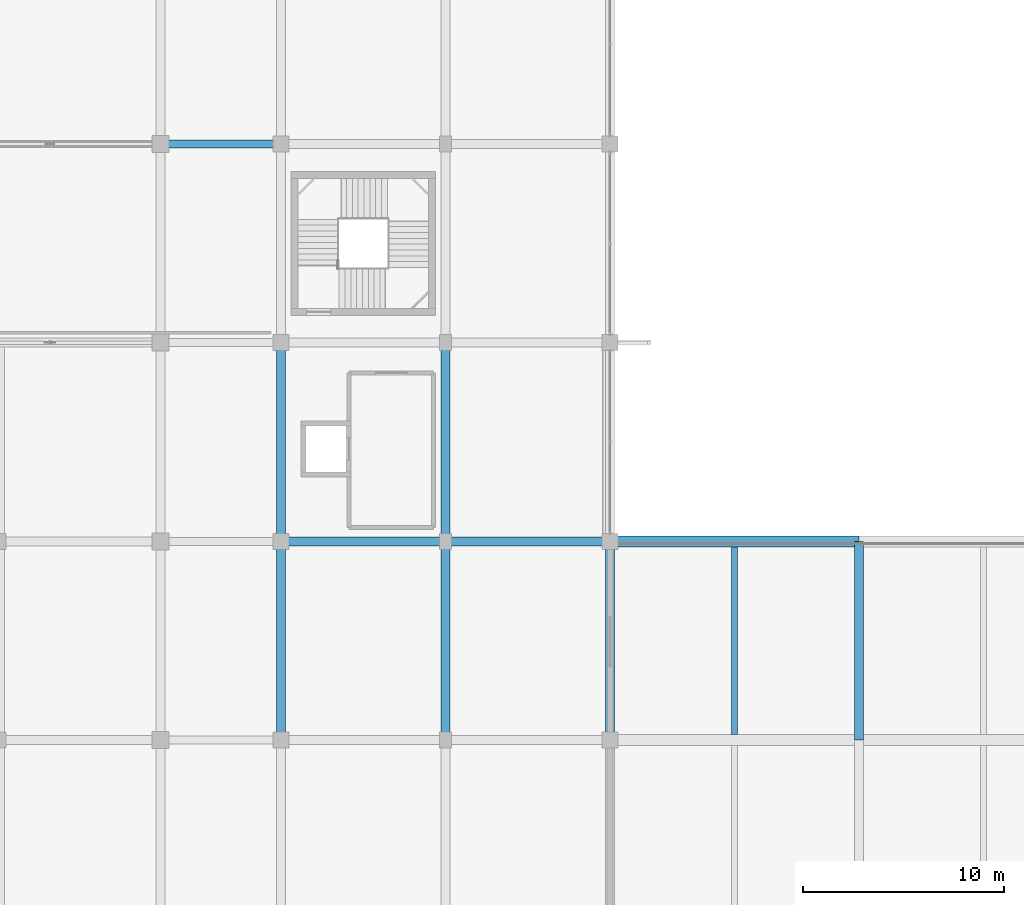
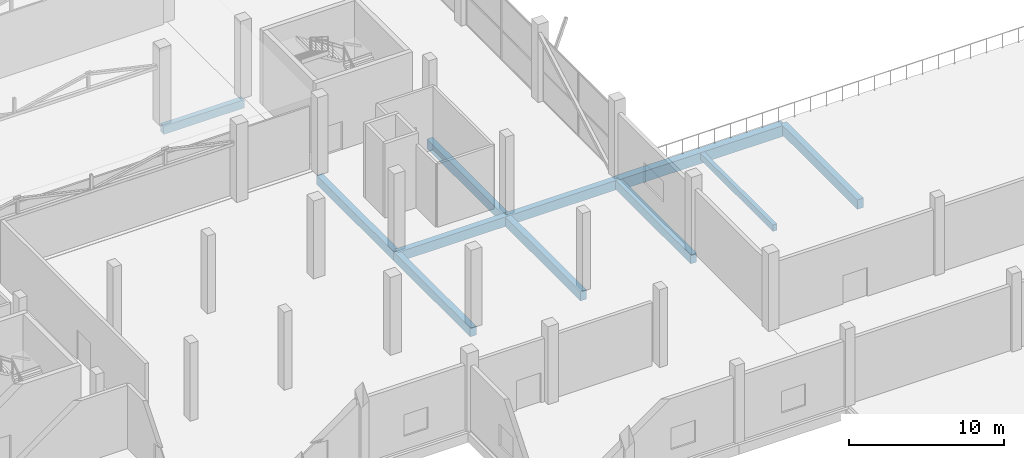
# One storey, part 9 of 46: 11 beams.
"""IFC4 building model written with IfcOpenShell, lengths in metres."""

from ifc_helpers import new_model, si_unit, direction, frame, origin, origin_2d, place, context, subcontext, project, spatial, rectangle, extrude, material, material_profile, profile_set, type_object, element, save


model = new_model("IFC4")

# Units and contexts
model_context = context("Model", 3, precision=1e-05, world=origin(), true_north=direction((0.0, 1.0)))
body_context = subcontext(model_context, "Body", "Model", "MODEL_VIEW")
ifc_project = project(units=[si_unit("LENGTHUNIT", "METRE"), si_unit("AREAUNIT", "SQUARE_METRE"), si_unit("VOLUMEUNIT", "CUBIC_METRE"), si_unit("PLANEANGLEUNIT", "RADIAN"), si_unit("MASSUNIT", "GRAM", prefix="KILO")], contexts=[model_context])

# Site, building, storey
site_placement = place(None, origin())
site = spatial("IfcSite", under=ifc_project, at=site_placement, CompositionType="ELEMENT")
building_placement = place(site_placement, origin())
building = spatial("IfcBuilding", under=site, at=building_placement, Name="Sillaruma Civic Art Gallery", CompositionType="ELEMENT")
storey_placement = place(building_placement, frame((0.0, 0.0, 16.320068359375)))
storey = spatial("IfcBuildingStorey", under=building, at=storey_placement, Name="L03", CompositionType="ELEMENT", Elevation=16.320068359375)

# Beams
ifc_material_1 = material(Name="Concrete H35 (35 MPa)", Category="concrete")
ifc_material_profile_1 = material_profile(ifc_material_1, rectangle(XDim=0.39990234375, YDim=0.64990234375, at=origin_2d()), Name="RCB400x650")
ifc_profile_set_1 = profile_set([ifc_material_profile_1], Name="Concrete H35 (35 MPa)")
beam_type_1 = type_object("IfcBeamType", Name="BM-BEAM-RCB400x650", PredefinedType="BEAM", material=ifc_profile_set_1)
beam_1_placement = place(storey_placement, frame((92.0, 59.39990234375, -0.60498046875), z_axis=(1.0, 0.0, 0.0), x_axis=(0.0, 1.0, 0.0)))
element("IfcBeam", 1, at=beam_1_placement, inside=storey, type_object=beam_type_1, Name="Beam BM-05 (L02:7:K-L)", PredefinedType="BEAM", context=body_context, shape_type="SweptSolid", body=[
    extrude(rectangle(XDim=0.39990234375, YDim=0.64990234375, at=origin_2d()), origin(), (0.0, 0.0, 1.0), 6.0),
])
ifc_material_2 = material(Name="Concrete H40 (40 MPa)", Category="concrete")
ifc_material_profile_2 = material_profile(ifc_material_2, rectangle(XDim=0.449951171875, YDim=0.75, at=origin_2d()), Name="RCB450x750")
ifc_profile_set_2 = profile_set([ifc_material_profile_2], Name="Concrete H40 (40 MPa)")
beam_type_2 = type_object("IfcBeamType", Name="BM-BEAM-RCB450x750", PredefinedType="BEAM", material=ifc_profile_set_2)
for number, where, z_axis, x_axis, name in (
    (2, (98.0, 39.60009765625, -0.655029296875), (1.0, 0.0, 0.0), (0.0, 1.0, 0.0), "Beam BM-03 (L02:5:L-M)"),
    (3, (106.199951171875, 39.60009765625, -0.655029296875), (1.0, 0.0, 0.0), (0.0, 1.0, 0.0), "Beam BM-03 (L02:5:M-N)"),
):
    element("IfcBeam", number, at=place(storey_placement, frame(where, z_axis=z_axis, x_axis=x_axis)), inside=storey, type_object=beam_type_2, Name=name, PredefinedType="BEAM", context=body_context, shape_type="SweptSolid", body=[
        extrude(rectangle(XDim=0.449951171875, YDim=0.75, at=origin_2d()), origin(), (0.0, 0.0, 1.0), 8.199951171875),
    ])
beam_2_placement = place(storey_placement, frame((106.199951171875, 29.699951171875, -0.655029296875), z_axis=(0.0, 1.0, 0.0), x_axis=(-1.0, 0.0, 0.0)))
element("IfcBeam", 4, at=beam_2_placement, inside=storey, type_object=beam_type_2, Name="Beam BM-03 (L02:M:4-5)", PredefinedType="BEAM", context=body_context, shape_type="SweptSolid", body=[
    extrude(rectangle(XDim=0.449951171875, YDim=0.75, at=origin_2d()), origin(), (0.0, 0.0, 1.0), 9.900146484375),
])
beam_3_placement = place(storey_placement, frame((106.199951171875, 39.60009765625, -0.655029296875), z_axis=(0.0, 1.0, 0.0), x_axis=(-1.0, 0.0, 0.0)))
element("IfcBeam", 5, at=beam_3_placement, inside=storey, type_object=beam_type_2, Name="Beam BM-03 (L02:M:5-6)", PredefinedType="BEAM", context=body_context, shape_type="SweptSolid", body=[
    extrude(rectangle(XDim=0.449951171875, YDim=0.75, at=origin_2d()), origin(), (0.0, 0.0, 1.0), 9.89990234375),
])
beam_4_placement = place(storey_placement, frame((126.800048828125, 29.699951171875, -0.655029296875), z_axis=(0.0, 1.0, 0.0), x_axis=(-1.0, 0.0, 0.0)))
element("IfcBeam", 6, at=beam_4_placement, inside=storey, type_object=beam_type_2, Name="Beam BM-03 (L02:P:4-5)", PredefinedType="BEAM", context=body_context, shape_type="SweptSolid", body=[
    extrude(rectangle(XDim=0.449951171875, YDim=0.75, at=origin_2d()), origin(), (0.0, 0.0, 1.0), 9.900146484375),
])
ifc_material_profile_3 = material_profile(ifc_material_2, rectangle(XDim=0.550048828125, YDim=0.85009765625, at=origin_2d()), Name="RCB550x850")
ifc_profile_set_3 = profile_set([ifc_material_profile_3], Name="Concrete H40 (40 MPa)")
beam_type_3 = type_object("IfcBeamType", Name="BM-BEAM-RCB550x850", PredefinedType="BEAM", material=ifc_profile_set_3)
beam_5_placement = place(storey_placement, frame((114.39990234375, 39.60009765625, -0.705078125), z_axis=(1.0, 0.0, 0.0), x_axis=(0.0, 1.0, 0.0)))
element("IfcBeam", 7, at=beam_5_placement, inside=storey, type_object=beam_type_3, Name="Beam BM-01 (L02:5:N-P)", PredefinedType="BEAM", context=body_context, shape_type="SweptSolid", body=[
    extrude(rectangle(XDim=0.550048828125, YDim=0.85009765625, at=origin_2d()), origin(), (0.0, 0.0, 1.0), 12.400146484375),
])
ifc_material_profile_4 = material_profile(ifc_material_1, rectangle(XDim=0.300048828125, YDim=0.52001953125, at=origin_2d()), Name="RCB300x520")
ifc_profile_set_4 = profile_set([ifc_material_profile_4], Name="Concrete H35 (35 MPa)")
beam_type_4 = type_object("IfcBeamType", Name="BM-JOIST-RCB300x520", PredefinedType="JOIST", material=ifc_profile_set_4)
beam_6_placement = place(storey_placement, frame((120.60009765625, 29.97509765625, -0.5400390625), z_axis=(0.0, 1.0, 0.0), x_axis=(-1.0, 0.0, 0.0)))
element("IfcBeam", 8, at=beam_6_placement, inside=storey, type_object=beam_type_4, Name="Floor Joist JR-01 (L02:NP:4-5)", PredefinedType="JOIST", context=body_context, shape_type="SweptSolid", body=[
    extrude(rectangle(XDim=0.300048828125, YDim=0.52001953125, at=origin_2d()), origin(), (0.0, 0.0, 1.0), 9.349853515625),
])
ifc_material_profile_5 = material_profile(ifc_material_1, rectangle(XDim=0.449951171875, YDim=0.699951171875, at=origin_2d()), Name="RCB450x700")
ifc_profile_set_5 = profile_set([ifc_material_profile_5], Name="Concrete H35 (35 MPa)")
beam_type_5 = type_object("IfcBeamType", Name="BM-SPANDREL-RCB450x700", PredefinedType="SPANDREL", material=ifc_profile_set_5)
beam_7_placement = place(storey_placement, frame((98.0, 29.699951171875, -0.630126953125), z_axis=(0.0, 1.0, 0.0), x_axis=(-1.0, 0.0, 0.0)))
element("IfcBeam", 9, at=beam_7_placement, inside=storey, type_object=beam_type_5, Name="Beam BS-03 (L02:L:4-5)", PredefinedType="SPANDREL", context=body_context, shape_type="SweptSolid", body=[
    extrude(rectangle(XDim=0.449951171875, YDim=0.699951171875, at=origin_2d()), origin(), (0.0, 0.0, 1.0), 9.900146484375),
])
beam_8_placement = place(storey_placement, frame((98.0, 39.60009765625, -0.630126953125), z_axis=(0.0, 1.0, 0.0), x_axis=(-1.0, 0.0, 0.0)))
element("IfcBeam", 10, at=beam_8_placement, inside=storey, type_object=beam_type_5, Name="Beam BS-03 (L02:L:5-6)", PredefinedType="SPANDREL", context=body_context, shape_type="SweptSolid", body=[
    extrude(rectangle(XDim=0.449951171875, YDim=0.699951171875, at=origin_2d()), origin(), (0.0, 0.0, 1.0), 9.89990234375),
])
beam_9_placement = place(storey_placement, frame((114.39990234375, 29.699951171875, -0.630126953125), z_axis=(0.0, 1.0, 0.0), x_axis=(-1.0, 0.0, 0.0)))
element("IfcBeam", 11, at=beam_9_placement, inside=storey, type_object=beam_type_5, Name="Beam BS-03 (L02:N:4-5)", PredefinedType="SPANDREL", context=body_context, shape_type="SweptSolid", body=[
    extrude(rectangle(XDim=0.449951171875, YDim=0.699951171875, at=origin_2d()), origin(), (0.0, 0.0, 1.0), 9.900146484375),
])

save(model, "model.ifc")
